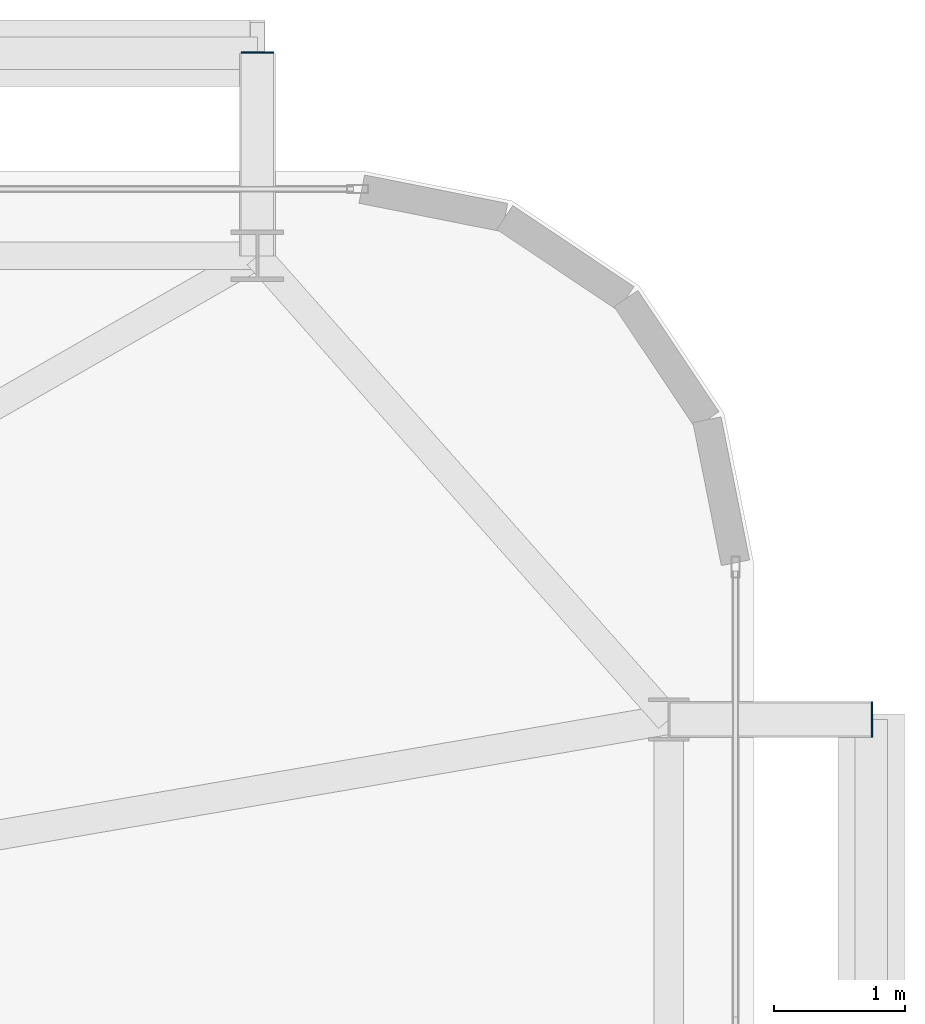
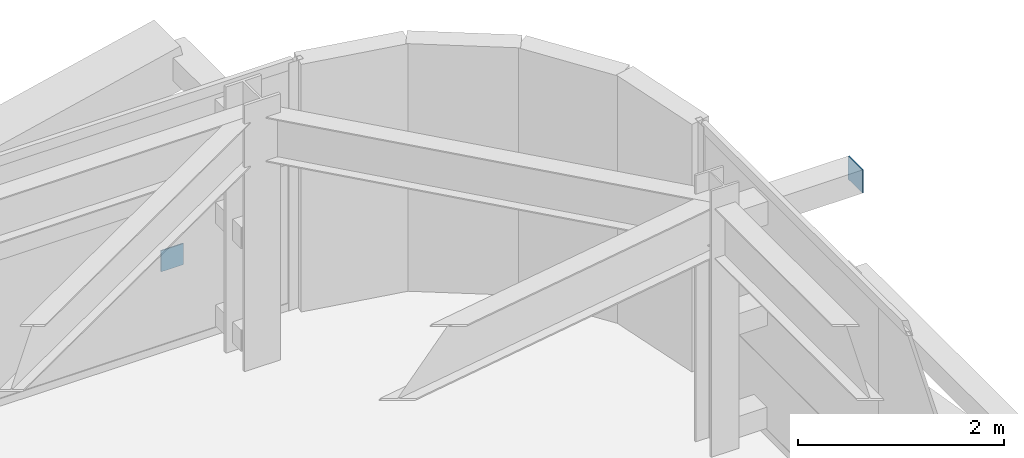
# One storey, part 38 of 44: 2 plates.
"""IFC4 building model written with IfcOpenShell, lengths in metres."""

from ifc_helpers import new_model, si_unit, direction, frame, origin, origin_2d, place, context, subcontext, project, spatial, rectangle, extrude, source, transform, mapped, material, layer, layer_set, type_object, element, save


model = new_model("IFC4")

# Units and contexts
model_context = context("Model", 3, precision=1e-05, world=origin(), true_north=direction((0.0, 1.0)))
body_context = subcontext(model_context, "Body", "Model", "MODEL_VIEW")
ifc_project = project(units=[si_unit("LENGTHUNIT", "METRE"), si_unit("AREAUNIT", "SQUARE_METRE"), si_unit("VOLUMEUNIT", "CUBIC_METRE"), si_unit("PLANEANGLEUNIT", "RADIAN"), si_unit("MASSUNIT", "GRAM", prefix="KILO")], contexts=[model_context])

# Site, building, storey
site_placement = place(None, origin())
site = spatial("IfcSite", under=ifc_project, at=site_placement, CompositionType="ELEMENT")
building_placement = place(site_placement, origin())
building = spatial("IfcBuilding", under=site, at=building_placement, Name="Taldren Reach Tower", CompositionType="ELEMENT")
storey_placement = place(building_placement, frame((0.0, 0.0, 42.0)))
storey = spatial("IfcBuildingStorey", under=building, at=storey_placement, Name="L12", CompositionType="ELEMENT", Elevation=42.0)

# Plates
ifc_material_1 = material(Name="Steel Gr 450 (C450L0)", Category="steel")
ifc_layer_1 = layer(ifc_material_1, 0.011962890625)
ifc_layer_set_1 = layer_set([ifc_layer_1], Name="Steel Gr 450 (C450L0)")
plate_type_1 = type_object("IfcPlateType", Name="PL-CAP-275", PredefinedType="SHEET", material=ifc_layer_set_1)
shared_shape_1 = source(origin(), body_context, "Body", "SweptSolid", [
    extrude(rectangle(XDim=0.011962890625, YDim=0.27490234375, at=origin_2d()), origin(), (0.0, 0.0, 1.0), 0.27490234375),
])
plate_1_placement = place(storey_placement, frame((65.906005859375, 34.300048828125, 2.512451171875), z_axis=(0.0, 0.0, 1.0), x_axis=(1.0, 0.0, 0.0)))
element("IfcPlate", 1, at=plate_1_placement, inside=storey, type_object=plate_type_1, Name="Tie strut end cap plate B1-E3 L12", PredefinedType="SHEET", context=body_context, shape_type="MappedRepresentation", body=[
    mapped(shared_shape_1, transform((0.0, 0.0, 0.0), scale=1.0)),
])
ifc_material_2 = material(Name="Steel Gr 350 (C350L0)", Category="steel")
ifc_layer_2 = layer(ifc_material_2, 0.011962890625)
ifc_layer_set_2 = layer_set([ifc_layer_2], Name="Steel Gr 350 (C350L0)")
plate_type_2 = type_object("IfcPlateType", Name="PL-CAP-250", PredefinedType="SHEET", material=ifc_layer_set_2)
shared_shape_2 = source(origin(), body_context, "Body", "SweptSolid", [
    extrude(rectangle(XDim=0.25, YDim=0.011962890625, at=origin_2d()), origin(), (0.0, 0.0, 1.0), 0.25),
])
plate_2_placement = place(storey_placement, frame((61.199951171875, 39.406005859375, 0.094970703125), z_axis=(0.0, 0.0, 1.0), x_axis=(1.0, 0.0, 0.0)))
element("IfcPlate", 2, at=plate_2_placement, inside=storey, type_object=plate_type_2, Name="Tie strut end cap plate B1-N6 L12", PredefinedType="SHEET", context=body_context, shape_type="MappedRepresentation", body=[
    mapped(shared_shape_2, transform((0.0, 0.0, 0.0), scale=1.0)),
])

save(model, "model.ifc")
